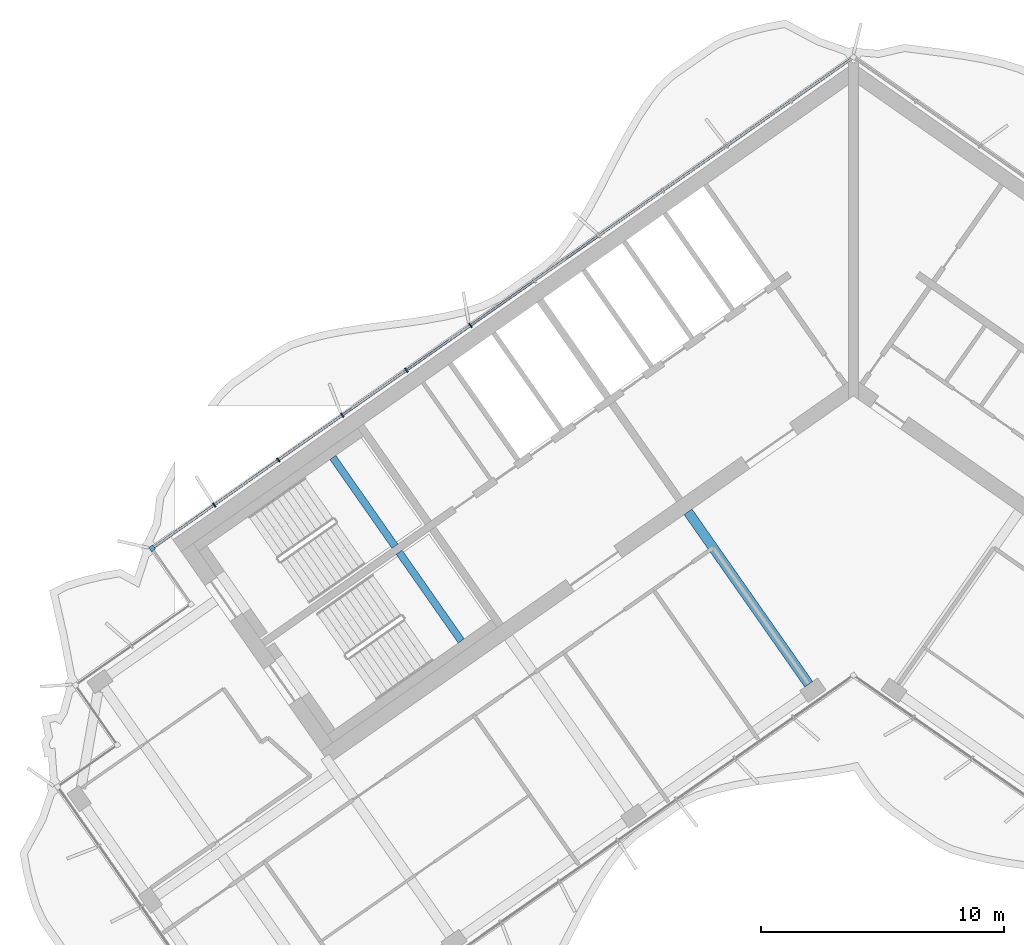
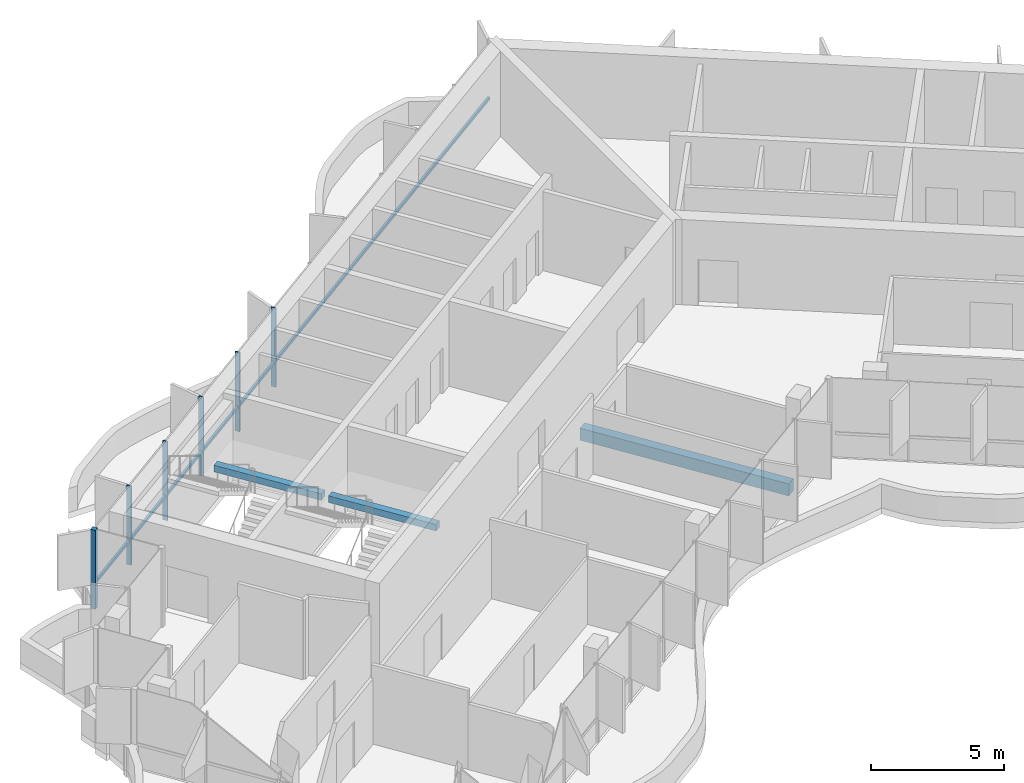
# One storey, part 3 of 20: 7 members, 3 beams, 1 element without a shape of its own.
"""IFC4 building model written with IfcOpenShell, lengths in metres."""

from ifc_helpers import new_model, si_unit, direction, frame, origin, origin_2d, place, context, subcontext, project, spatial, rectangle, extrude, material, material_profile, profile_set, type_object, element, aggregate, save


model = new_model("IFC4")

# Units and contexts
model_context = context("Model", 3, precision=1e-05, world=origin(), true_north=direction((0.0, 1.0)))
body_context = subcontext(model_context, "Body", "Model", "MODEL_VIEW")
ifc_project = project(units=[si_unit("LENGTHUNIT", "METRE"), si_unit("AREAUNIT", "SQUARE_METRE"), si_unit("VOLUMEUNIT", "CUBIC_METRE"), si_unit("PLANEANGLEUNIT", "RADIAN"), si_unit("MASSUNIT", "GRAM", prefix="KILO")], contexts=[model_context])

# Site, building, storey
site_placement = place(None, origin())
site = spatial("IfcSite", under=ifc_project, at=site_placement, CompositionType="ELEMENT")
building_placement = place(site_placement, origin())
building = spatial("IfcBuilding", under=site, at=building_placement, Name="Tel Ilan Convention Tower", CompositionType="ELEMENT")
storey_placement = place(building_placement, frame((0.0, 0.0, 233.199951171875)))
storey = spatial("IfcBuildingStorey", under=building, at=storey_placement, Name="L54", CompositionType="ELEMENT", Elevation=233.199951171875)

# Beam
ifc_material_1 = material(Name="Concrete C40/50", Category="concrete")
ifc_material_profile_1 = material_profile(ifc_material_1, rectangle(XDim=0.39990234375, YDim=0.550048828125, at=origin_2d()), Name="RC 400x550")
ifc_profile_set_1 = profile_set([ifc_material_profile_1], Name="Concrete C40/50")
beam_type_1 = type_object("IfcBeamType", Name="Beam RC 400x550 Concrete C40/50", PredefinedType="BEAM", material=ifc_profile_set_1)
beam_1_placement = place(storey_placement, frame((-1.83740234375, -13.06689453125, -0.554931640625), z_axis=(-0.573574099654, 0.819153680457, 0.0), x_axis=(-0.819153680457, -0.573574099654, 0.0)))
element("IfcBeam", 1, at=beam_1_placement, inside=storey, type_object=beam_type_1, Name="L54 beam W-W-F1-core", PredefinedType="BEAM", context=body_context, shape_type="SweptSolid", body=[
    extrude(rectangle(XDim=0.39990234375, YDim=0.550048828125, at=origin_2d()), origin(), (0.0, 0.0, 1.0), 8.64990234375),
])

# Curtain wall, members
ifc_material_2 = material(Name="Aluminium, bronze anodised", Category="aluminium")
curtain_wall_type = type_object("IfcCurtainWallType", Name="CW2 STICK CURTAIN WALL, SPANDREL PANELS", PredefinedType="NOTDEFINED", material=ifc_material_2)
curtain_wall_placement = place(storey_placement, origin())
curtain_wall = element("IfcCurtainWall", 2, at=curtain_wall_placement, inside=storey, type_object=curtain_wall_type, Name="Curtain wall CW2-42.01", PredefinedType="NOTDEFINED")
ifc_material_3 = material(Name="Aluminium, bronze anodised", Category="aluminium")
ifc_material_profile_2 = material_profile(ifc_material_3, rectangle(XDim=0.199951171875, YDim=0.199951171875, at=origin_2d()), Name="CW CORNER MULLION 200x200")
ifc_profile_set_2 = profile_set([ifc_material_profile_2], Name="Aluminium, bronze anodised")
member_type_1 = type_object("IfcMemberType", Name="CW CORNER MULLION 200x200", PredefinedType="MULLION", material=ifc_profile_set_2)
member_1_placement = place(storey_placement, frame((-28.819580078125, -7.483642578125, 0.0), z_axis=(0.0, 0.0, 1.0), x_axis=(-0.819152044289, -0.573576436351, 0.0)))
member_1 = element("IfcMember", 3, at=member_1_placement, type_object=member_type_1, Name="Corner mullion", PredefinedType="MULLION", context=body_context, shape_type="SweptSolid", body=[
    extrude(rectangle(XDim=0.199951171875, YDim=0.199951171875, at=origin_2d()), origin(), (0.0, 0.0, 1.0), 3.6201171875),
])
ifc_material_4 = material(Name="Aluminium, bronze anodised", Category="aluminium")
ifc_material_profile_3 = material_profile(ifc_material_4, rectangle(XDim=0.06005859375, YDim=0.199951171875, at=origin_2d()), Name="CW MULLION 60x200")
ifc_profile_set_3 = profile_set([ifc_material_profile_3], Name="Aluminium, bronze anodised")
member_type_2 = type_object("IfcMemberType", Name="CW MULLION 60x200", PredefinedType="MULLION", material=ifc_profile_set_3)
member_2_placement = place(storey_placement, frame((-15.73828125, 1.676025390625, 0.0), z_axis=(0.0, 0.0, 1.0), x_axis=(-0.819152044289, -0.573576436351, 0.0)))
member_2 = element("IfcMember", 4, at=member_2_placement, type_object=member_type_2, Name="Mullion", PredefinedType="MULLION", context=body_context, shape_type="SweptSolid", body=[
    extrude(rectangle(XDim=0.06005859375, YDim=0.199951171875, at=origin_2d()), origin(), (0.0, 0.0, 1.0), 3.6201171875),
])
member_3_placement = place(storey_placement, frame((-18.37109375, -0.16748046875, 0.0), z_axis=(0.0, 0.0, 1.0), x_axis=(-0.819152044289, -0.573576436351, 0.0)))
member_3 = element("IfcMember", 5, at=member_3_placement, type_object=member_type_2, Name="Mullion", PredefinedType="MULLION", context=body_context, shape_type="SweptSolid", body=[
    extrude(rectangle(XDim=0.06005859375, YDim=0.199951171875, at=origin_2d()), origin(), (0.0, 0.0, 1.0), 3.6201171875),
])
member_4_placement = place(storey_placement, frame((-21.003662109375, -2.0107421875, 0.0), z_axis=(0.0, 0.0, 1.0), x_axis=(-0.819152044289, -0.573576436351, 0.0)))
member_4 = element("IfcMember", 6, at=member_4_placement, type_object=member_type_2, Name="Mullion", PredefinedType="MULLION", context=body_context, shape_type="SweptSolid", body=[
    extrude(rectangle(XDim=0.06005859375, YDim=0.199951171875, at=origin_2d()), origin(), (0.0, 0.0, 1.0), 3.6201171875),
])
member_5_placement = place(storey_placement, frame((-23.63623046875, -3.854248046875, 0.0), z_axis=(0.0, 0.0, 1.0), x_axis=(-0.819152044289, -0.573576436351, 0.0)))
member_5 = element("IfcMember", 7, at=member_5_placement, type_object=member_type_2, Name="Mullion", PredefinedType="MULLION", context=body_context, shape_type="SweptSolid", body=[
    extrude(rectangle(XDim=0.06005859375, YDim=0.199951171875, at=origin_2d()), origin(), (0.0, 0.0, 1.0), 3.6201171875),
])
member_6_placement = place(storey_placement, frame((-26.268798828125, -5.697509765625, 0.0), z_axis=(0.0, 0.0, 1.0), x_axis=(-0.819152044289, -0.573576436351, 0.0)))
member_6 = element("IfcMember", 8, at=member_6_placement, type_object=member_type_2, Name="Mullion", PredefinedType="MULLION", context=body_context, shape_type="SweptSolid", body=[
    extrude(rectangle(XDim=0.06005859375, YDim=0.199951171875, at=origin_2d()), origin(), (0.0, 0.0, 1.0), 3.6201171875),
])
ifc_material_5 = material(Name="Aluminium, bronze anodised", Category="aluminium")
ifc_material_profile_4 = material_profile(ifc_material_5, rectangle(XDim=0.10009765625, YDim=0.1201171875, at=origin_2d()), Name="CW TRANSOM 100x120")
ifc_profile_set_4 = profile_set([ifc_material_profile_4], Name="Aluminium, bronze anodised")
member_type_3 = type_object("IfcMemberType", Name="CW TRANSOM 100x120", PredefinedType="USERDEFINED", material=ifc_profile_set_4)
member_7_placement = place(storey_placement, frame((-0.1064453125, 12.62158203125, 1.10009765625), z_axis=(-0.819150201937, -0.573579067494, 0.0), x_axis=(0.573579067494, -0.819150201937, 0.0)))
member_7 = element("IfcMember", 9, at=member_7_placement, type_object=member_type_3, Name="Transom", ObjectType="TRANSOM", PredefinedType="USERDEFINED", context=body_context, shape_type="SweptSolid", body=[
    extrude(rectangle(XDim=0.10009765625, YDim=0.1201171875, at=origin_2d()), origin(), (0.0, 0.0, 1.0), 34.9521484375),
])
aggregate(curtain_wall, [member_2, member_3, member_4, member_5, member_6, member_1, member_7])

# Beams
ifc_material_6 = material(Name="Concrete C40/50", Category="concrete")
ifc_material_profile_5 = material_profile(ifc_material_6, rectangle(XDim=0.300048828125, YDim=0.300048828125, at=origin_2d()), Name="RC 300x300")
ifc_profile_set_5 = profile_set([ifc_material_profile_5], Name="Concrete C40/50")
beam_type_2 = type_object("IfcBeamType", Name="Landing Beam RC 300x300 Concrete C40/50", PredefinedType="BEAM", material=ifc_profile_set_5)
beam_2_placement = place(storey_placement, frame((-18.841796875, -7.394287109375, 1.60009765625), z_axis=(-0.573547030514, 0.819172633691, 0.0), x_axis=(-0.819172633691, -0.573547030514, 0.0)))
element("IfcBeam", 10, at=beam_2_placement, inside=storey, type_object=beam_type_2, Name="S1 landing beam L54.1", PredefinedType="BEAM", context=body_context, shape_type="SweptSolid", body=[
    extrude(rectangle(XDim=0.300048828125, YDim=0.300048828125, at=origin_2d()), origin(), (0.0, 0.0, 1.0), 4.449951171875),
])
beam_3_placement = place(storey_placement, frame((-16.1171875, -11.285400390625, 1.60009765625), z_axis=(-0.573583844845, 0.819146856756, 0.0), x_axis=(-0.819146856756, -0.573583844845, 0.0)))
element("IfcBeam", 11, at=beam_3_placement, inside=storey, type_object=beam_type_2, Name="S2 landing beam L54.1", PredefinedType="BEAM", context=body_context, shape_type="SweptSolid", body=[
    extrude(rectangle(XDim=0.300048828125, YDim=0.300048828125, at=origin_2d()), origin(), (0.0, 0.0, 1.0), 4.4501953125),
])

save(model, "model.ifc")
